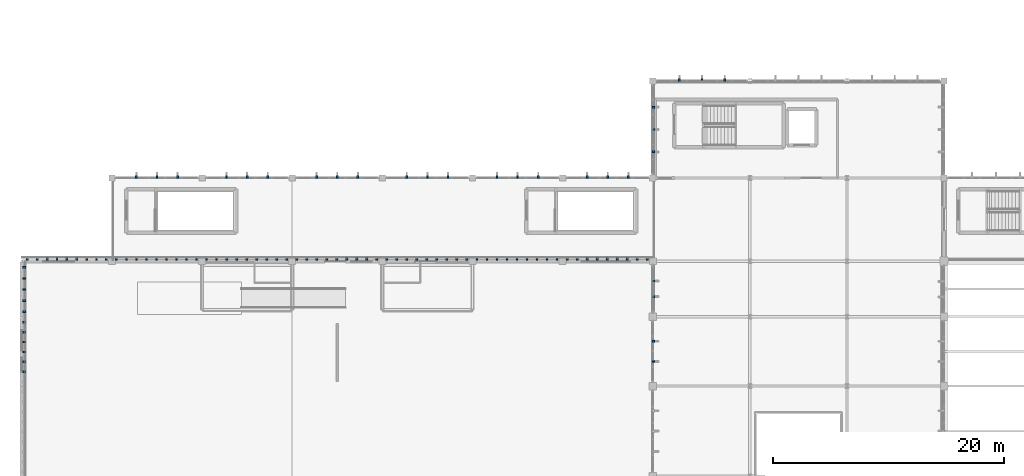
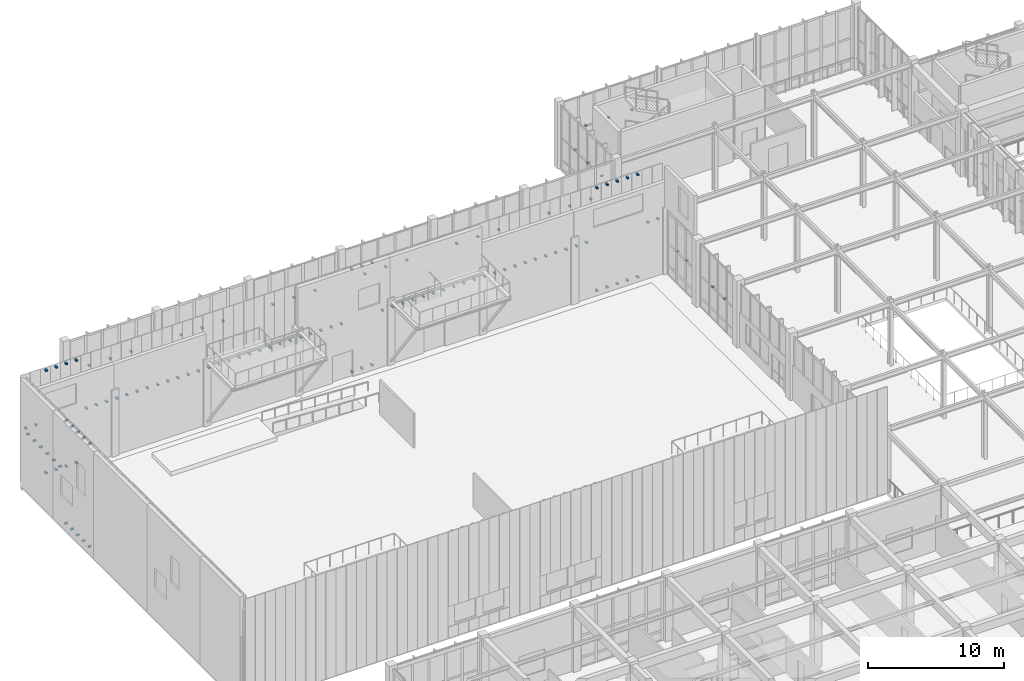
# One storey, part 84 of 105: 119 discrete accessories.
"""IFC4 building model written with IfcOpenShell, lengths in metres."""

import ifcopenshell
import ifcopenshell.guid

model = None  # the IFC model being written
_history = None  # IfcOwnerHistory: only IFC2X3 demands one
_inside = {}  # id of a spatial element -> (the spatial element, [elements in it])
_under = {}  # id of a project, library or spatial element -> (it, [spatial elements below it])
_declared = {}  # id of a project -> (the project, [libraries it declares])
_typed = {}  # id of a type object -> (the type object, [elements of that type])
_made_of = {}  # id of a material, layer set ... -> (it, [elements and type objects made of it])


def new_model(schema):
    """Start an empty IFC model of exactly this schema.

    Asked for "IFC4X3", IfcOpenShell would pick the latest addendum, in which some entities
    have other attributes; the version numbers below select the first issue.
    IFC2X3 requires an IfcOwnerHistory on every rooted entity: one is made here for all.
    """
    global model, _history
    if schema == "IFC4X3":
        model = ifcopenshell.file(schema_version=(4, 3, 0, 0))
    else:
        model = ifcopenshell.file(schema=schema)
    _inside.clear()
    _under.clear()
    _declared.clear()
    _typed.clear()
    _made_of.clear()
    _history = None
    if model.schema == "IFC2X3":
        org = make("IfcOrganization", Name="unknown")
        user = make(
            "IfcPersonAndOrganization",
            ThePerson=make("IfcPerson", FamilyName="unknown"),
            TheOrganization=org,
        )
        app = make(
            "IfcApplication",
            ApplicationDeveloper=org,
            Version="unknown",
            ApplicationFullName="unknown",
            ApplicationIdentifier="unknown",
        )
        _history = make(
            "IfcOwnerHistory",
            OwningUser=user,
            OwningApplication=app,
            ChangeAction="ADDED",
            CreationDate=0,
        )
    return model


def make(cls, **values):
    """One entity of the class cls with the attributes given. An attribute that is None is left unset."""
    return model.create_entity(
        cls, **{name: value for name, value in values.items() if value is not None}
    )


def rooted(cls, **values):
    """An entity with a GlobalId (a new one), such as an element, a storey or a relation."""
    return make(cls, GlobalId=ifcopenshell.guid.new(), OwnerHistory=_history, **values)


def si_unit(unit_type, name, prefix=None):
    """IfcSIUnit, for example si_unit("LENGTHUNIT", "METRE", prefix="MILLI")."""
    return make("IfcSIUnit", UnitType=unit_type, Prefix=prefix, Name=name)


def assignment(units):
    """IfcUnitAssignment: the units of a project."""
    return None if units is None else make("IfcUnitAssignment", Units=units)


def point(xyz):
    """IfcCartesianPoint."""
    return None if xyz is None else make("IfcCartesianPoint", Coordinates=xyz)


def direction(xyz):
    """IfcDirection."""
    return None if xyz is None else make("IfcDirection", DirectionRatios=xyz)


def frame(location, z_axis=None, x_axis=None):
    """IfcAxis2Placement3D, a coordinate frame: its origin and axes. An axis left out is left unset."""
    return make(
        "IfcAxis2Placement3D",
        Location=point(location),
        Axis=direction(z_axis),
        RefDirection=direction(x_axis),
    )


def frame_2d(location, x_axis=None):
    """IfcAxis2Placement2D, a coordinate frame in the plane: its origin and x axis."""
    return make(
        "IfcAxis2Placement2D", Location=point(location), RefDirection=direction(x_axis)
    )


def origin():
    """The frame at (0, 0, 0) with its axes left unset."""
    return frame((0.0, 0.0, 0.0))


def origin_2d():
    """The frame at (0, 0) in the plane with its x axis left unset."""
    return frame_2d((0.0, 0.0))


def place(relative_to, where):
    """IfcLocalPlacement: puts the frame where relative to a parent placement (None: the world)."""
    return make(
        "IfcLocalPlacement", PlacementRelTo=relative_to, RelativePlacement=where
    )


def context(
    kind, dimensions, precision=None, world=None, true_north=None, identifier=None
):
    """IfcGeometricRepresentationContext, for example the 3D "Model" context."""
    return make(
        "IfcGeometricRepresentationContext",
        ContextIdentifier=identifier,
        ContextType=kind,
        CoordinateSpaceDimension=dimensions,
        Precision=precision,
        WorldCoordinateSystem=world,
        TrueNorth=true_north,
    )


def subcontext(parent, identifier, kind, view, scale=None):
    """IfcGeometricRepresentationSubContext, for example "Body" below "Model"."""
    return make(
        "IfcGeometricRepresentationSubContext",
        ContextIdentifier=identifier,
        ContextType=kind,
        ParentContext=parent,
        TargetScale=scale,
        TargetView=view,
    )


def project(units=None, contexts=None):
    """IfcProject with its units and contexts."""
    return rooted(
        "IfcProject",
        Name="project",
        RepresentationContexts=contexts,
        UnitsInContext=assignment(units),
    )


def spatial(cls, under=None, at=None, **own):
    """A site, building, storey or space (cls), placed at a placement, below another one or the project."""
    s = rooted(cls, ObjectPlacement=at, **own)
    if under is not None:
        _under.setdefault(under.id(), (under, []))[1].append(s)
    return s


def profile(cls, at=None, kind="AREA", **sizes):
    """A parametric profile (cls). Its sizes go by their IFC names, for example OverallWidth=200.0."""
    return make(cls, ProfileType=kind, Position=at, **sizes)


def rectangle(**sizes):
    """IfcRectangleProfileDef."""
    return profile("IfcRectangleProfileDef", **sizes)


def extrude(swept, where, along, depth):
    """IfcExtrudedAreaSolid: the profile swept, set in the frame where, extruded along a direction by depth."""
    return make(
        "IfcExtrudedAreaSolid",
        SweptArea=swept,
        Position=where,
        ExtrudedDirection=direction(along),
        Depth=depth,
    )


def shape(context_of_items, identifier, shape_type, items):
    """IfcShapeRepresentation: the items that make up one representation, for example the "Body"."""
    return make(
        "IfcShapeRepresentation",
        ContextOfItems=context_of_items,
        RepresentationIdentifier=identifier,
        RepresentationType=shape_type,
        Items=items,
    )


def material(Name=None, Category=None):
    """IfcMaterial."""
    return make("IfcMaterial", Name=Name, Category=Category)


def made_of(thing, what):
    """Note that an element or type object is made of a material, layer set ...; save() writes the relation."""
    if what is not None:
        _made_of.setdefault(what.id(), (what, []))[1].append(thing)
    return thing


def type_object(cls, material=None, **own):
    """A type object (cls), such as IfcWallType, which elements share."""
    return made_of(rooted(cls, **own), material)


def element(
    cls,
    number,
    at=None,
    inside=None,
    cuts=None,
    type_object=None,
    material=None,
    context=None,
    identifier="Body",
    shape_type=None,
    held_by="IfcProductDefinitionShape",
    body=None,
    shapes=None,
    **own,
):
    """One element of the class cls, such as IfcWall. Its Tag is "e" and its number.

    at: its placement. inside: the storey or other place that contains it. cuts: it is an
    opening in that element (IfcRelVoidsElement). A single representation is given by context,
    identifier, shape_type and body (its items); several are given by shapes. held_by: the class
    of the entity that holds the representations. save() writes the other relations.
    """
    e = rooted(cls, Tag="e%d" % number, ObjectPlacement=at, **own)
    if body is not None:
        shapes = [shape(context, identifier, shape_type, body)]
    if shapes is not None:
        e.Representation = make(held_by, Representations=shapes)
    if inside is not None:
        _inside.setdefault(inside.id(), (inside, []))[1].append(e)
    if cuts is not None:
        rooted(
            "IfcRelVoidsElement", RelatingBuildingElement=cuts, RelatedOpeningElement=e
        )
    if type_object is not None:
        _typed.setdefault(type_object.id(), (type_object, []))[1].append(e)
    return made_of(e, material)


def aggregate(whole, parts):
    """IfcRelAggregates: a whole, such as a stair, and the parts it consists of."""
    return rooted("IfcRelAggregates", RelatingObject=whole, RelatedObjects=parts)


def save(model, path):
    """Write the relations noted so far, then the file.

    IfcRelAggregates (storeys below a building ...), IfcRelContainedInSpatialStructure (elements
    in a storey), IfcRelDefinesByType, IfcRelAssociatesMaterial and IfcRelDeclares: one each for
    every whole, place, type object, material and project.
    """
    for whole, parts in _under.values():
        aggregate(whole, parts)
    for where, things in _inside.values():
        rooted(
            "IfcRelContainedInSpatialStructure",
            RelatedElements=things,
            RelatingStructure=where,
        )
    for kind, things in _typed.values():
        rooted("IfcRelDefinesByType", RelatedObjects=things, RelatingType=kind)
    for what, things in _made_of.values():
        rooted("IfcRelAssociatesMaterial", RelatedObjects=things, RelatingMaterial=what)
    for by, libraries in _declared.values():
        rooted("IfcRelDeclares", RelatingContext=by, RelatedDefinitions=libraries)
    model.write(path)


model = new_model("IFC4")

# Units and contexts
model_context = context("Model", 3, precision=1e-05, world=origin(), true_north=direction((0.0, 1.0)))
body_context = subcontext(model_context, "Body", "Model", "MODEL_VIEW")
ifc_project = project(units=[si_unit("LENGTHUNIT", "METRE"), si_unit("AREAUNIT", "SQUARE_METRE"), si_unit("VOLUMEUNIT", "CUBIC_METRE"), si_unit("PLANEANGLEUNIT", "RADIAN"), si_unit("MASSUNIT", "GRAM", prefix="KILO")], contexts=[model_context])

# Site, building, storey
site_placement = place(None, origin())
site = spatial("IfcSite", under=ifc_project, at=site_placement, CompositionType="ELEMENT")
building_placement = place(site_placement, origin())
building = spatial("IfcBuilding", under=site, at=building_placement, Name="Tizgana Railside Sports Hall", CompositionType="ELEMENT")
storey_placement = place(building_placement, frame((0.0, 0.0, 6.0)))
storey = spatial("IfcBuildingStorey", under=building, at=storey_placement, Name="L01", CompositionType="ELEMENT", Elevation=6.0)

# Discrete accessories
ifc_material = material(Name="Steel S355J2", Category="steel")
discrete_accessory_type = type_object("IfcDiscreteAccessoryType", Name="Stainless Facade Support Bracket", PredefinedType="BRACKET", material=ifc_material)
for number, where, z_axis, x_axis, name in (
    (1, (0.477783203125, 73.419921875, 4.72998046875), (0.0, 0.0, 1.0), (1.0, 0.0, 0.0), "L01 Screen Bracket"),
    (2, (1.333251953125, 73.419921875, 4.72998046875), (0.0, 0.0, 1.0), (1.0, 0.0, 0.0), "L01 Screen Bracket"),
):
    element("IfcDiscreteAccessory", number, at=place(storey_placement, frame(where, z_axis=z_axis, x_axis=x_axis)), inside=storey, type_object=discrete_accessory_type, Name=name, PredefinedType="BRACKET", context=body_context, shape_type="SweptSolid", body=[
        extrude(rectangle(XDim=0.159912109375, YDim=0.25, at=origin_2d()), origin(), (0.0, 0.0, 1.0), 0.139892578125),
    ])
for number, where, z_axis, x_axis, name in (
    (3, (2.18896484375, 73.419921875, 0.1298828125), (0.0, 0.0, 1.0), (1.0, 0.0, 0.0), "L01 Spandrel Bracket"),
    (4, (2.18896484375, 73.419921875, 9.330078125), (0.0, 0.0, 1.0), (1.0, 0.0, 0.0), "L01 Header Bracket"),
    (5, (3.04443359375, 73.419921875, 0.1298828125), (0.0, 0.0, 1.0), (1.0, 0.0, 0.0), "L01 Spandrel Bracket"),
    (6, (3.04443359375, 73.419921875, 9.330078125), (0.0, 0.0, 1.0), (1.0, 0.0, 0.0), "L01 Header Bracket"),
    (7, (3.89990234375, 73.419921875, 0.1298828125), (0.0, 0.0, 1.0), (1.0, 0.0, 0.0), "L01 Spandrel Bracket"),
    (8, (3.89990234375, 73.419921875, 9.330078125), (0.0, 0.0, 1.0), (1.0, 0.0, 0.0), "L01 Header Bracket"),
    (9, (4.755615234375, 73.419921875, 0.1298828125), (0.0, 0.0, 1.0), (1.0, 0.0, 0.0), "L01 Spandrel Bracket"),
    (10, (4.755615234375, 73.419921875, 9.330078125), (0.0, 0.0, 1.0), (1.0, 0.0, 0.0), "L01 Header Bracket"),
):
    element("IfcDiscreteAccessory", number, at=place(storey_placement, frame(where, z_axis=z_axis, x_axis=x_axis)), inside=storey, type_object=discrete_accessory_type, Name=name, PredefinedType="BRACKET", context=body_context, shape_type="SweptSolid", body=[
        extrude(rectangle(XDim=0.159912109375, YDim=0.260009765625, at=origin_2d()), origin(), (0.0, 0.0, 1.0), 0.139892578125),
    ])
for number, where, z_axis, x_axis, name in (
    (11, (5.611083984375, 73.419921875, 4.72998046875), (0.0, 0.0, 1.0), (1.0, 0.0, 0.0), "L01 Screen Bracket"),
    (12, (6.466796875, 73.419921875, 4.72998046875), (0.0, 0.0, 1.0), (1.0, 0.0, 0.0), "L01 Screen Bracket"),
    (13, (7.322265625, 73.419921875, 4.72998046875), (0.0, 0.0, 1.0), (1.0, 0.0, 0.0), "L01 Screen Bracket"),
    (14, (8.18798828125, 73.419921875, 4.72998046875), (0.0, 0.0, 1.0), (1.0, 0.0, 0.0), "L01 Screen Bracket"),
    (15, (9.05419921875, 73.419921875, 4.72998046875), (0.0, 0.0, 1.0), (1.0, 0.0, 0.0), "L01 Screen Bracket"),
    (16, (9.92041015625, 73.419921875, 4.72998046875), (0.0, 0.0, 1.0), (1.0, 0.0, 0.0), "L01 Screen Bracket"),
    (17, (10.786376953125, 73.419921875, 4.72998046875), (0.0, 0.0, 1.0), (1.0, 0.0, 0.0), "L01 Screen Bracket"),
    (18, (11.652587890625, 73.419921875, 4.72998046875), (0.0, 0.0, 1.0), (1.0, 0.0, 0.0), "L01 Screen Bracket"),
    (19, (12.5185546875, 73.419921875, 4.72998046875), (0.0, 0.0, 1.0), (1.0, 0.0, 0.0), "L01 Screen Bracket"),
    (20, (13.384765625, 73.419921875, 4.72998046875), (0.0, 0.0, 1.0), (1.0, 0.0, 0.0), "L01 Screen Bracket"),
    (21, (14.250732421875, 73.419921875, 4.72998046875), (0.0, 0.0, 1.0), (1.0, 0.0, 0.0), "L01 Screen Bracket"),
    (22, (15.116943359375, 73.419921875, 4.72998046875), (0.0, 0.0, 1.0), (1.0, 0.0, 0.0), "L01 Screen Bracket"),
    (23, (15.988037109375, 73.419921875, 4.72998046875), (0.0, 0.0, 1.0), (1.0, 0.0, 0.0), "L01 Screen Bracket"),
    (24, (16.854248046875, 73.419921875, 4.72998046875), (0.0, 0.0, 1.0), (1.0, 0.0, 0.0), "L01 Screen Bracket"),
    (25, (17.72021484375, 73.419921875, 4.72998046875), (0.0, 0.0, 1.0), (1.0, 0.0, 0.0), "L01 Screen Bracket"),
    (26, (18.58642578125, 73.419921875, 4.72998046875), (0.0, 0.0, 1.0), (1.0, 0.0, 0.0), "L01 Screen Bracket"),
    (27, (19.452392578125, 73.419921875, 4.72998046875), (0.0, 0.0, 1.0), (1.0, 0.0, 0.0), "L01 Screen Bracket"),
    (28, (20.318603515625, 73.419921875, 4.72998046875), (0.0, 0.0, 1.0), (1.0, 0.0, 0.0), "L01 Screen Bracket"),
    (29, (21.184814453125, 73.419921875, 4.72998046875), (0.0, 0.0, 1.0), (1.0, 0.0, 0.0), "L01 Screen Bracket"),
    (30, (22.05078125, 73.419921875, 4.72998046875), (0.0, 0.0, 1.0), (1.0, 0.0, 0.0), "L01 Screen Bracket"),
    (31, (22.9169921875, 73.419921875, 4.72998046875), (0.0, 0.0, 1.0), (1.0, 0.0, 0.0), "L01 Screen Bracket"),
    (32, (23.7880859375, 73.419921875, 4.72998046875), (0.0, 0.0, 1.0), (1.0, 0.0, 0.0), "L01 Screen Bracket"),
    (33, (24.654296875, 73.419921875, 4.72998046875), (0.0, 0.0, 1.0), (1.0, 0.0, 0.0), "L01 Screen Bracket"),
    (34, (25.520263671875, 73.419921875, 4.72998046875), (0.0, 0.0, 1.0), (1.0, 0.0, 0.0), "L01 Screen Bracket"),
    (35, (26.386474609375, 73.419921875, 4.72998046875), (0.0, 0.0, 1.0), (1.0, 0.0, 0.0), "L01 Screen Bracket"),
    (36, (27.25244140625, 73.419921875, 4.72998046875), (0.0, 0.0, 1.0), (1.0, 0.0, 0.0), "L01 Screen Bracket"),
):
    element("IfcDiscreteAccessory", number, at=place(storey_placement, frame(where, z_axis=z_axis, x_axis=x_axis)), inside=storey, type_object=discrete_accessory_type, Name=name, PredefinedType="BRACKET", context=body_context, shape_type="SweptSolid", body=[
        extrude(rectangle(XDim=0.159912109375, YDim=0.25, at=origin_2d()), origin(), (0.0, 0.0, 1.0), 0.139892578125),
    ])
for number, where, z_axis, x_axis, name in (
    (37, (28.11865234375, 73.419921875, 0.1298828125), (0.0, 0.0, 1.0), (1.0, 0.0, 0.0), "L01 Spandrel Bracket"),
    (38, (28.11865234375, 73.419921875, 9.330078125), (0.0, 0.0, 1.0), (1.0, 0.0, 0.0), "L01 Header Bracket"),
    (39, (28.984619140625, 73.419921875, 0.1298828125), (0.0, 0.0, 1.0), (1.0, 0.0, 0.0), "L01 Spandrel Bracket"),
    (40, (28.984619140625, 73.419921875, 9.330078125), (0.0, 0.0, 1.0), (1.0, 0.0, 0.0), "L01 Header Bracket"),
    (41, (29.850830078125, 73.419921875, 0.1298828125), (0.0, 0.0, 1.0), (1.0, 0.0, 0.0), "L01 Spandrel Bracket"),
    (42, (29.850830078125, 73.419921875, 9.330078125), (0.0, 0.0, 1.0), (1.0, 0.0, 0.0), "L01 Header Bracket"),
):
    element("IfcDiscreteAccessory", number, at=place(storey_placement, frame(where, z_axis=z_axis, x_axis=x_axis)), inside=storey, type_object=discrete_accessory_type, Name=name, PredefinedType="BRACKET", context=body_context, shape_type="SweptSolid", body=[
        extrude(rectangle(XDim=0.159912109375, YDim=0.260009765625, at=origin_2d()), origin(), (0.0, 0.0, 1.0), 0.139892578125),
    ])
for number, where, z_axis, x_axis, name in (
    (43, (30.716796875, 73.419921875, 4.72998046875), (0.0, 0.0, 1.0), (1.0, 0.0, 0.0), "L01 Screen Bracket"),
    (44, (31.588134765625, 73.419921875, 4.72998046875), (0.0, 0.0, 1.0), (1.0, 0.0, 0.0), "L01 Screen Bracket"),
    (45, (32.4541015625, 73.419921875, 4.72998046875), (0.0, 0.0, 1.0), (1.0, 0.0, 0.0), "L01 Screen Bracket"),
    (46, (33.3203125, 73.419921875, 4.72998046875), (0.0, 0.0, 1.0), (1.0, 0.0, 0.0), "L01 Screen Bracket"),
    (47, (34.186279296875, 73.419921875, 4.72998046875), (0.0, 0.0, 1.0), (1.0, 0.0, 0.0), "L01 Screen Bracket"),
    (48, (35.052490234375, 73.419921875, 4.72998046875), (0.0, 0.0, 1.0), (1.0, 0.0, 0.0), "L01 Screen Bracket"),
    (49, (35.918701171875, 73.419921875, 4.72998046875), (0.0, 0.0, 1.0), (1.0, 0.0, 0.0), "L01 Screen Bracket"),
    (50, (36.78466796875, 73.419921875, 4.72998046875), (0.0, 0.0, 1.0), (1.0, 0.0, 0.0), "L01 Screen Bracket"),
    (51, (37.65087890625, 73.419921875, 4.72998046875), (0.0, 0.0, 1.0), (1.0, 0.0, 0.0), "L01 Screen Bracket"),
    (52, (38.516845703125, 73.419921875, 4.72998046875), (0.0, 0.0, 1.0), (1.0, 0.0, 0.0), "L01 Screen Bracket"),
    (53, (39.38818359375, 73.419921875, 4.72998046875), (0.0, 0.0, 1.0), (1.0, 0.0, 0.0), "L01 Screen Bracket"),
    (54, (40.254150390625, 73.419921875, 4.72998046875), (0.0, 0.0, 1.0), (1.0, 0.0, 0.0), "L01 Screen Bracket"),
    (55, (41.120361328125, 73.419921875, 4.72998046875), (0.0, 0.0, 1.0), (1.0, 0.0, 0.0), "L01 Screen Bracket"),
    (56, (41.986328125, 73.419921875, 4.72998046875), (0.0, 0.0, 1.0), (1.0, 0.0, 0.0), "L01 Screen Bracket"),
    (57, (42.8525390625, 73.419921875, 4.72998046875), (0.0, 0.0, 1.0), (1.0, 0.0, 0.0), "L01 Screen Bracket"),
    (58, (43.718505859375, 73.419921875, 4.72998046875), (0.0, 0.0, 1.0), (1.0, 0.0, 0.0), "L01 Screen Bracket"),
    (59, (44.584716796875, 73.419921875, 4.72998046875), (0.0, 0.0, 1.0), (1.0, 0.0, 0.0), "L01 Screen Bracket"),
    (60, (45.45068359375, 73.419921875, 4.72998046875), (0.0, 0.0, 1.0), (1.0, 0.0, 0.0), "L01 Screen Bracket"),
    (61, (46.31689453125, 73.419921875, 4.72998046875), (0.0, 0.0, 1.0), (1.0, 0.0, 0.0), "L01 Screen Bracket"),
    (62, (47.18798828125, 73.419921875, 4.72998046875), (0.0, 0.0, 1.0), (1.0, 0.0, 0.0), "L01 Screen Bracket"),
    (63, (48.05419921875, 73.419921875, 4.72998046875), (0.0, 0.0, 1.0), (1.0, 0.0, 0.0), "L01 Screen Bracket"),
):
    element("IfcDiscreteAccessory", number, at=place(storey_placement, frame(where, z_axis=z_axis, x_axis=x_axis)), inside=storey, type_object=discrete_accessory_type, Name=name, PredefinedType="BRACKET", context=body_context, shape_type="SweptSolid", body=[
        extrude(rectangle(XDim=0.159912109375, YDim=0.25, at=origin_2d()), origin(), (0.0, 0.0, 1.0), 0.139892578125),
    ])
for number, where, z_axis, x_axis, name in (
    (64, (48.92041015625, 73.419921875, 0.1298828125), (0.0, 0.0, 1.0), (1.0, 0.0, 0.0), "L01 Spandrel Bracket"),
    (65, (48.92041015625, 73.419921875, 9.330078125), (0.0, 0.0, 1.0), (1.0, 0.0, 0.0), "L01 Header Bracket"),
    (66, (49.786376953125, 73.419921875, 0.1298828125), (0.0, 0.0, 1.0), (1.0, 0.0, 0.0), "L01 Spandrel Bracket"),
    (67, (49.786376953125, 73.419921875, 9.330078125), (0.0, 0.0, 1.0), (1.0, 0.0, 0.0), "L01 Header Bracket"),
    (68, (50.652587890625, 73.419921875, 0.1298828125), (0.0, 0.0, 1.0), (1.0, 0.0, 0.0), "L01 Spandrel Bracket"),
    (69, (50.652587890625, 73.419921875, 9.330078125), (0.0, 0.0, 1.0), (1.0, 0.0, 0.0), "L01 Header Bracket"),
    (70, (51.5185546875, 73.419921875, 0.1298828125), (0.0, 0.0, 1.0), (1.0, 0.0, 0.0), "L01 Spandrel Bracket"),
    (71, (51.5185546875, 73.419921875, 9.330078125), (0.0, 0.0, 1.0), (1.0, 0.0, 0.0), "L01 Header Bracket"),
    (72, (52.384765625, 73.419921875, 0.1298828125), (0.0, 0.0, 1.0), (1.0, 0.0, 0.0), "L01 Spandrel Bracket"),
    (73, (52.384765625, 73.419921875, 9.330078125), (0.0, 0.0, 1.0), (1.0, 0.0, 0.0), "L01 Header Bracket"),
):
    element("IfcDiscreteAccessory", number, at=place(storey_placement, frame(where, z_axis=z_axis, x_axis=x_axis)), inside=storey, type_object=discrete_accessory_type, Name=name, PredefinedType="BRACKET", context=body_context, shape_type="SweptSolid", body=[
        extrude(rectangle(XDim=0.159912109375, YDim=0.260009765625, at=origin_2d()), origin(), (0.0, 0.0, 1.0), 0.139892578125),
    ])
for number, where, z_axis, x_axis, name in (
    (74, (53.250732421875, 73.419921875, 4.72998046875), (0.0, 0.0, 1.0), (1.0, 0.0, 0.0), "L01 Screen Bracket"),
    (75, (54.116943359375, 73.419921875, 4.72998046875), (0.0, 0.0, 1.0), (1.0, 0.0, 0.0), "L01 Screen Bracket"),
    (76, (0.219970703125, 67.921875, 4.72998046875), (0.0, 0.0, 1.0), (0.0, -1.0, 0.0), "L01 Screen Bracket"),
):
    element("IfcDiscreteAccessory", number, at=place(storey_placement, frame(where, z_axis=z_axis, x_axis=x_axis)), inside=storey, type_object=discrete_accessory_type, Name=name, PredefinedType="BRACKET", context=body_context, shape_type="SweptSolid", body=[
        extrude(rectangle(XDim=0.159912109375, YDim=0.25, at=origin_2d()), origin(), (0.0, 0.0, 1.0), 0.139892578125),
    ])
for number, where, z_axis, x_axis, name in (
    (77, (0.219970703125, 67.0654296875, 0.1298828125), (0.0, 0.0, 1.0), (0.0, -1.0, 0.0), "L01 Spandrel Bracket"),
    (78, (0.219970703125, 67.0654296875, 9.330078125), (0.0, 0.0, 1.0), (0.0, -1.0, 0.0), "L01 Header Bracket"),
    (79, (0.219970703125, 66.208984375, 0.1298828125), (0.0, 0.0, 1.0), (0.0, -1.0, 0.0), "L01 Spandrel Bracket"),
    (80, (0.219970703125, 66.208984375, 9.330078125), (0.0, 0.0, 1.0), (0.0, -1.0, 0.0), "L01 Header Bracket"),
    (81, (0.219970703125, 65.3525390625, 0.1298828125), (0.0, 0.0, 1.0), (0.0, -1.0, 0.0), "L01 Spandrel Bracket"),
    (82, (0.219970703125, 65.3525390625, 9.330078125), (0.0, 0.0, 1.0), (0.0, -1.0, 0.0), "L01 Header Bracket"),
    (83, (0.219970703125, 64.49609375, 0.1298828125), (0.0, 0.0, 1.0), (0.0, -1.0, 0.0), "L01 Spandrel Bracket"),
    (84, (0.219970703125, 64.49609375, 9.330078125), (0.0, 0.0, 1.0), (0.0, -1.0, 0.0), "L01 Header Bracket"),
    (85, (0.219970703125, 63.6396484375, 0.1298828125), (0.0, 0.0, 1.0), (0.0, -1.0, 0.0), "L01 Spandrel Bracket"),
    (86, (0.219970703125, 63.6396484375, 9.330078125), (0.0, 0.0, 1.0), (0.0, -1.0, 0.0), "L01 Header Bracket"),
):
    element("IfcDiscreteAccessory", number, at=place(storey_placement, frame(where, z_axis=z_axis, x_axis=x_axis)), inside=storey, type_object=discrete_accessory_type, Name=name, PredefinedType="BRACKET", context=body_context, shape_type="SweptSolid", body=[
        extrude(rectangle(XDim=0.159912109375, YDim=0.260009765625, at=origin_2d()), origin(), (0.0, 0.0, 1.0), 0.139892578125),
    ])
for number, where, z_axis, x_axis, name in (
    (87, (0.219970703125, 72.67041015625, 4.72998046875), (0.0, 0.0, 1.0), (0.0, -1.0, 0.0), "L01 Screen Bracket"),
    (88, (0.219970703125, 71.71142578125, 4.72998046875), (0.0, 0.0, 1.0), (0.0, -1.0, 0.0), "L01 Screen Bracket"),
    (89, (0.219970703125, 70.75244140625, 4.72998046875), (0.0, 0.0, 1.0), (0.0, -1.0, 0.0), "L01 Screen Bracket"),
    (90, (0.219970703125, 69.79345703125, 4.72998046875), (0.0, 0.0, 1.0), (0.0, -1.0, 0.0), "L01 Screen Bracket"),
    (91, (0.219970703125, 68.83447265625, 4.72998046875), (0.0, 0.0, 1.0), (0.0, -1.0, 0.0), "L01 Screen Bracket"),
):
    element("IfcDiscreteAccessory", number, at=place(storey_placement, frame(where, z_axis=z_axis, x_axis=x_axis)), inside=storey, type_object=discrete_accessory_type, Name=name, PredefinedType="BRACKET", context=body_context, shape_type="SweptSolid", body=[
        extrude(rectangle(XDim=0.159912109375, YDim=0.25, at=origin_2d()), origin(), (0.0, 0.0, 1.0), 0.139892578125),
    ])
for number, where, z_axis, x_axis, name in (
    (92, (9.9150390625, 80.47998046875, 2.7900390625), (0.0, 0.0, 1.0), (1.0, 0.0, 0.0), "L01 Fin Bracket"),
    (93, (11.699951171875, 80.47998046875, 2.7900390625), (0.0, 0.0, 1.0), (1.0, 0.0, 0.0), "L01 Fin Bracket"),
    (94, (13.485107421875, 80.47998046875, 2.7900390625), (0.0, 0.0, 1.0), (1.0, 0.0, 0.0), "L01 Fin Bracket"),
    (95, (17.715087890625, 80.47998046875, 2.7900390625), (0.0, 0.0, 1.0), (1.0, 0.0, 0.0), "L01 Fin Bracket"),
    (96, (19.5, 80.47998046875, 2.7900390625), (0.0, 0.0, 1.0), (1.0, 0.0, 0.0), "L01 Fin Bracket"),
    (97, (21.284912109375, 80.47998046875, 2.7900390625), (0.0, 0.0, 1.0), (1.0, 0.0, 0.0), "L01 Fin Bracket"),
    (98, (25.514892578125, 80.47998046875, 2.7900390625), (0.0, 0.0, 1.0), (1.0, 0.0, 0.0), "L01 Fin Bracket"),
    (99, (27.300048828125, 80.47998046875, 2.7900390625), (0.0, 0.0, 1.0), (1.0, 0.0, 0.0), "L01 Fin Bracket"),
    (100, (29.0849609375, 80.47998046875, 2.7900390625), (0.0, 0.0, 1.0), (1.0, 0.0, 0.0), "L01 Fin Bracket"),
    (101, (33.31494140625, 80.47998046875, 2.7900390625), (0.0, 0.0, 1.0), (1.0, 0.0, 0.0), "L01 Fin Bracket"),
    (102, (35.10009765625, 80.47998046875, 2.7900390625), (0.0, 0.0, 1.0), (1.0, 0.0, 0.0), "L01 Fin Bracket"),
    (103, (36.885009765625, 80.47998046875, 2.7900390625), (0.0, 0.0, 1.0), (1.0, 0.0, 0.0), "L01 Fin Bracket"),
    (104, (41.114990234375, 80.47998046875, 2.7900390625), (0.0, 0.0, 1.0), (1.0, 0.0, 0.0), "L01 Fin Bracket"),
    (105, (42.89990234375, 80.47998046875, 2.7900390625), (0.0, 0.0, 1.0), (1.0, 0.0, 0.0), "L01 Fin Bracket"),
    (106, (44.68505859375, 80.47998046875, 2.7900390625), (0.0, 0.0, 1.0), (1.0, 0.0, 0.0), "L01 Fin Bracket"),
    (107, (48.9150390625, 80.47998046875, 2.7900390625), (0.0, 0.0, 1.0), (1.0, 0.0, 0.0), "L01 Fin Bracket"),
    (108, (50.699951171875, 80.47998046875, 2.7900390625), (0.0, 0.0, 1.0), (1.0, 0.0, 0.0), "L01 Fin Bracket"),
    (109, (52.485107421875, 80.47998046875, 2.7900390625), (0.0, 0.0, 1.0), (1.0, 0.0, 0.0), "L01 Fin Bracket"),
    (110, (56.896240234375, 88.8798828125, 2.784912109375), (0.0, 0.0, 1.0), (1.0, 0.0, 0.0), "L01 Fin Bracket"),
    (111, (58.862548828125, 88.8798828125, 2.784912109375), (0.0, 0.0, 1.0), (1.0, 0.0, 0.0), "L01 Fin Bracket"),
    (112, (60.82861328125, 88.8798828125, 2.784912109375), (0.0, 0.0, 1.0), (1.0, 0.0, 0.0), "L01 Fin Bracket"),
    (113, (54.679931640625, 66.273193359375, 2.784912109375), (0.0, 0.0, 1.0), (0.0, -1.0, 0.0), "L01 Fin Bracket"),
    (114, (54.679931640625, 64.526611328125, 2.784912109375), (0.0, 0.0, 1.0), (0.0, -1.0, 0.0), "L01 Fin Bracket"),
    (115, (54.679931640625, 71.489990234375, 2.784912109375), (0.0, 0.0, 1.0), (0.0, -1.0, 0.0), "L01 Fin Bracket"),
    (116, (54.679931640625, 70.135009765625, 2.784912109375), (0.0, 0.0, 1.0), (0.0, -1.0, 0.0), "L01 Fin Bracket"),
    (117, (54.679931640625, 86.534912109375, 2.784912109375), (0.0, 0.0, 1.0), (0.0, -1.0, 0.0), "L01 Fin Bracket"),
    (118, (54.679931640625, 84.60009765625, 2.784912109375), (0.0, 0.0, 1.0), (0.0, -1.0, 0.0), "L01 Fin Bracket"),
    (119, (54.679931640625, 82.6650390625, 2.784912109375), (0.0, 0.0, 1.0), (0.0, -1.0, 0.0), "L01 Fin Bracket"),
):
    element("IfcDiscreteAccessory", number, at=place(storey_placement, frame(where, z_axis=z_axis, x_axis=x_axis)), inside=storey, type_object=discrete_accessory_type, Name=name, PredefinedType="BRACKET", context=body_context, shape_type="SweptSolid", body=[
        extrude(rectangle(XDim=0.159912109375, YDim=0.219970703125, at=origin_2d()), origin(), (0.0, 0.0, 1.0), 0.1201171875),
    ])

save(model, "model.ifc")
